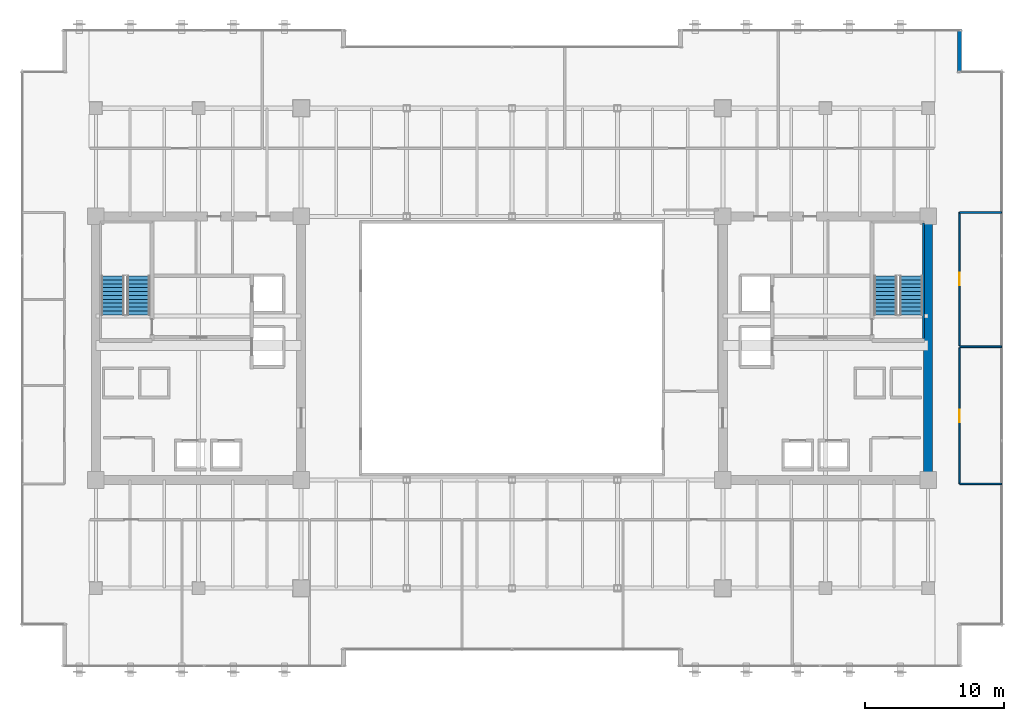
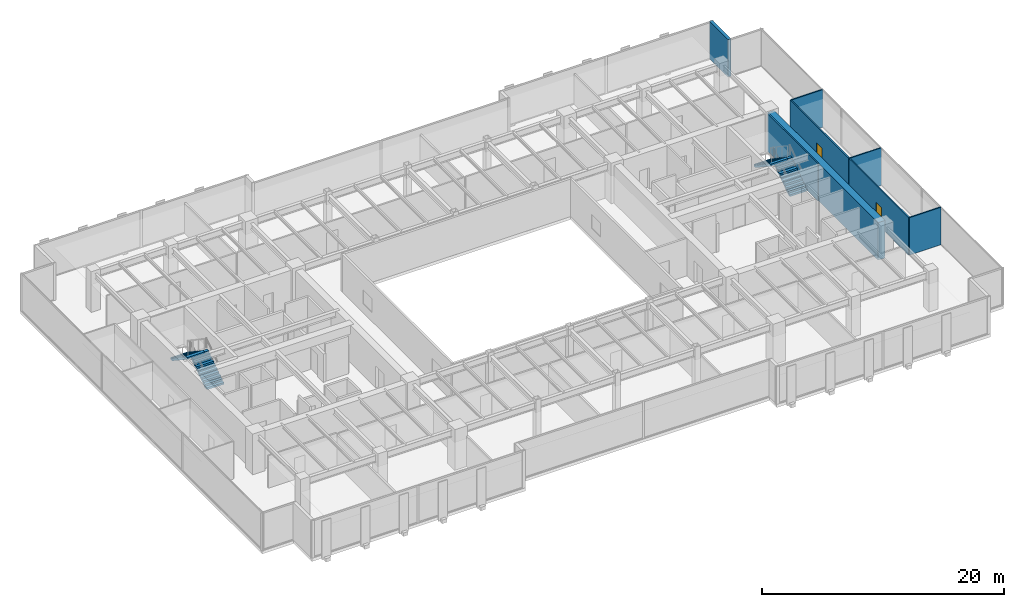
# One storey, part 28 of 34: 8 walls, 4 stair flights, 2 doors, 2 openings, 2 elements without a shape of their own.
"""IFC4 building model written with IfcOpenShell, lengths in metres."""

from ifc_helpers import new_model, si_unit, direction, frame, frame_2d, origin, place, context, subcontext, project, spatial, polyline, rectangle, outline, extrude, source, transform, mapped, material, layer, layer_set, type_object, type_shapes, element, fill, aggregate, save


model = new_model("IFC4")

# Units and contexts
model_context = context("Model", 3, precision=1e-05, world=origin(), true_north=direction((0.0, 1.0)))
body_context = subcontext(model_context, "Body", "Model", "MODEL_VIEW")
ifc_project = project(units=[si_unit("LENGTHUNIT", "METRE"), si_unit("AREAUNIT", "SQUARE_METRE"), si_unit("VOLUMEUNIT", "CUBIC_METRE"), si_unit("PLANEANGLEUNIT", "RADIAN"), si_unit("MASSUNIT", "GRAM", prefix="KILO")], contexts=[model_context])

# Site, building, storey
site_placement = place(None, origin())
site = spatial("IfcSite", under=ifc_project, at=site_placement, CompositionType="ELEMENT")
building_placement = place(site_placement, origin())
building = spatial("IfcBuilding", under=site, at=building_placement, Name="Haelvirn Gate Laboratories", CompositionType="ELEMENT")
storey_placement = place(building_placement, frame((0.0, 0.0, 158.39990234375)))
storey = spatial("IfcBuildingStorey", under=building, at=storey_placement, Name="L38", CompositionType="ELEMENT", Elevation=158.39990234375)

# Walls
ifc_material_1 = material(Name="Thermally-broken bronze aluminium rainscreen & mineral wool", Category="aluminium")
ifc_layer_1 = layer(ifc_material_1, 0.280029296875, Name="EW-TERR-280")
ifc_layer_set_1 = layer_set([ifc_layer_1], Name="Thermally-broken bronze aluminium rainscreen & mineral wool")
wall_type_1 = type_object("IfcWallType", Name="EW-TERR-280", PredefinedType="STANDARD", material=ifc_layer_set_1)
wall_1_placement = place(storey_placement, frame((69.659912109375, 44.2119140625, 0.0), z_axis=(0.0, 0.0, 1.0), x_axis=(0.0, 1.0, 0.0)))
element("IfcWall", 1, at=wall_1_placement, inside=storey, type_object=wall_type_1, Name="L38 Atrium Recess Bronze Return Wall 09", PredefinedType="STANDARD", context=body_context, shape_type="SweptSolid", body=[
    extrude(rectangle(XDim=3.088134765625, YDim=0.280029296875, at=frame_2d((1.5439453125, 0.0))), origin(), (0.0, 0.0, 1.0), 3.7900390625),
])
ifc_material_2 = material(Name="Lightweight acoustic gypsum board partition", Category="gypsum")
ifc_layer_2 = layer(ifc_material_2, 0.1201171875, Name="IW-PART-120")
ifc_layer_set_2 = layer_set([ifc_layer_2], Name="Lightweight acoustic gypsum board partition")
wall_type_2 = type_object("IfcWallType", Name="IW-PART-120", PredefinedType="PARTITIONING", material=ifc_layer_set_2)
for number, where, z_axis, x_axis, name in (
    (2, (69.669921875, 14.514892578125, 0.0), (0.0, 0.0, 1.0), (1.0, 0.0, 0.0), "L38 Interior Wall IW-L38-ECAP-S"),
    (3, (69.669921875, 34.0849609375, 0.0), (0.0, 0.0, 1.0), (1.0, 0.0, 0.0), "L38 Interior Wall IW-L38-ECAP-N"),
):
    element("IfcWall", number, at=place(storey_placement, frame(where, z_axis=z_axis, x_axis=x_axis)), inside=storey, type_object=wall_type_2, Name=name, PredefinedType="PARTITIONING", context=body_context, shape_type="SweptSolid", body=[
        extrude(rectangle(XDim=3.02001953125, YDim=0.1201171875, at=frame_2d((1.510009765625, 0.0))), origin(), (0.0, 0.0, 1.0), 3.7900390625),
    ])

# Wall, opening, door
wall_2_placement = place(storey_placement, frame((69.669921875, 14.514892578125, 0.0), z_axis=(0.0, 0.0, 1.0), x_axis=(0.0, 1.0, 0.0)))
wall_2 = element("IfcWall", 4, at=wall_2_placement, inside=storey, type_object=wall_type_2, Name="L38 Interior Wall IW-L38-EPASS-01", PredefinedType="PARTITIONING", context=body_context, shape_type="SweptSolid", body=[
    extrude(rectangle(XDim=9.8251953125, YDim=0.1201171875, at=frame_2d((4.91259765625, 0.0))), origin(), (0.0, 0.0, 1.0), 3.7900390625),
])
opening_1_placement = place(wall_2_placement, frame((4.46240234375, 0.0, 0.0)))
opening_1 = element("IfcOpeningElement", 5, at=opening_1_placement, cuts=wall_2, Name="Opening D4", PredefinedType="OPENING", context=body_context, shape_type="SweptSolid", body=[
    extrude(rectangle(XDim=0.89990234375, YDim=2.10009765625, at=frame_2d((0.449951171875, 1.050048828125))), frame((0.0, 0.070068359375, 0.0), z_axis=(0.0, -1.0, 0.0), x_axis=(1.0, 0.0, 0.0)), (0.0, 0.0, 1.0), 0.14013671875),
])
ifc_material_3 = material(Name="Glazed aluminium-framed write-up door", Category="aluminium")
door_type = type_object("IfcDoorType", Name="DR-OFF-900", OperationType="NOTDEFINED", PredefinedType="DOOR", material=ifc_material_3)
shared_shape_1 = source(origin(), body_context, "Body", "SweptSolid", [
    extrude(rectangle(XDim=0.89990234375, YDim=2.10009765625, at=frame_2d((0.449951171875, 1.050048828125))), frame((0.0, 0.02490234375, 0.0), z_axis=(0.0, -1.0, 0.0), x_axis=(1.0, 0.0, 0.0)), (0.0, 0.0, 1.0), 0.050048828125),
])
type_shapes(door_type, [shared_shape_1])
door_1_placement = place(opening_1_placement, origin())
door_1 = element("IfcDoor", 6, at=door_1_placement, inside=storey, type_object=door_type, Name="L38 Occupational Biosafety Clinic Door E1", OperationType="SINGLE_SWING_LEFT", OverallHeight=2.10009765625, OverallWidth=0.89990234375, PredefinedType="DOOR", context=body_context, shape_type="MappedRepresentation", body=[
    mapped(shared_shape_1, transform((0.0, 0.0, 0.0), scale=1.0)),
])
fill(opening_1, door_1)

# Wall
wall_3_placement = place(storey_placement, frame((69.669921875, 24.39990234375, 0.0), z_axis=(0.0, 0.0, 1.0), x_axis=(1.0, 0.0, 0.0)))
element("IfcWall", 7, at=wall_3_placement, inside=storey, type_object=wall_type_2, Name="L38 Interior Wall IW-L38-EDIV-01", PredefinedType="PARTITIONING", context=body_context, shape_type="SweptSolid", body=[
    extrude(rectangle(XDim=3.02001953125, YDim=0.1201171875, at=frame_2d((1.510009765625, 0.0))), origin(), (0.0, 0.0, 1.0), 3.7900390625),
])

# Wall, opening, door
wall_4_placement = place(storey_placement, frame((69.669921875, 24.4599609375, 0.0), z_axis=(0.0, 0.0, 1.0), x_axis=(0.0, 1.0, 0.0)))
wall_4 = element("IfcWall", 8, at=wall_4_placement, inside=storey, type_object=wall_type_2, Name="L38 Interior Wall IW-L38-EPASS-02", PredefinedType="PARTITIONING", context=body_context, shape_type="SweptSolid", body=[
    extrude(rectangle(XDim=9.625, YDim=0.1201171875, at=frame_2d((4.8125, 0.0))), origin(), (0.0, 0.0, 1.0), 3.7900390625),
])
opening_2_placement = place(wall_4_placement, frame((4.362548828125, 0.0, 0.0)))
opening_2 = element("IfcOpeningElement", 9, at=opening_2_placement, cuts=wall_4, Name="Opening D4", PredefinedType="OPENING", context=body_context, shape_type="SweptSolid", body=[
    extrude(rectangle(XDim=0.89990234375, YDim=2.10009765625, at=frame_2d((0.449951171875, 1.050048828125))), frame((0.0, 0.070068359375, 0.0), z_axis=(0.0, -1.0, 0.0), x_axis=(1.0, 0.0, 0.0)), (0.0, 0.0, 1.0), 0.14013671875),
])
door_2_placement = place(opening_2_placement, origin())
door_2 = element("IfcDoor", 10, at=door_2_placement, inside=storey, type_object=door_type, Name="L38 Bioprocess Foundry Laboratory Door E2", OperationType="SINGLE_SWING_RIGHT", OverallHeight=2.10009765625, OverallWidth=0.89990234375, PredefinedType="DOOR", context=body_context, shape_type="MappedRepresentation", body=[
    mapped(shared_shape_1, transform((0.0, 0.0, 0.0), scale=1.0)),
])
fill(opening_2, door_2)

# Walls
ifc_material_4 = material(Name="Concrete C60/75", Category="concrete")
ifc_layer_3 = layer(ifc_material_4, 0.64990234375, Name="SW-CORE-650")
ifc_layer_set_3 = layer_set([ifc_layer_3], Name="Concrete C60/75")
wall_type_3 = type_object("IfcWallType", Name="SW-CORE-650", PredefinedType="SHEAR", material=ifc_layer_set_3)
wall_5_placement = place(storey_placement, frame((67.39990234375, 15.125, 0.0), z_axis=(0.0, 0.0, 1.0), x_axis=(0.0, 1.0, 0.0)))
element("IfcWall", 11, at=wall_5_placement, inside=storey, type_object=wall_type_3, Name="L38 E Core Shear Wall E", PredefinedType="SHEAR", context=body_context, shape_type="SweptSolid", body=[
    extrude(rectangle(XDim=18.35009765625, YDim=0.64990234375, at=frame_2d((9.175048828125, 0.0))), origin(), (0.0, 0.0, 1.0), 3.7900390625),
])
ifc_material_5 = material(Name="Concrete C50/60", Category="concrete")
ifc_layer_4 = layer(ifc_material_5, 0.1201171875, Name="SW-LINER-120")
ifc_layer_set_4 = layer_set([ifc_layer_4], Name="Concrete C50/60")
wall_type_4 = type_object("IfcWallType", Name="SW-LINER-120", PredefinedType="SOLIDWALL", material=ifc_layer_set_4)
wall_6_placement = place(storey_placement, frame((67.070068359375, 25.0, 0.0), z_axis=(0.0, 0.0, 1.0), x_axis=(0.0, 1.0, 0.0)))
element("IfcWall", 12, at=wall_6_placement, inside=storey, type_object=wall_type_4, Name="L38 E Core Stair Shaft Liner Wall OUT", PredefinedType="SOLIDWALL", context=body_context, shape_type="SweptSolid", body=[
    extrude(rectangle(XDim=8.320068359375, YDim=0.1201171875, at=frame_2d((4.16015625, 0.0))), origin(), (0.0, 0.0, 1.0), 3.7900390625),
])

# Stair, stair flights
ifc_material_6 = material(Name="Concrete C40/50", Category="concrete")
stair_type = type_object("IfcStairType", Name="ST-DOG-1650-R22", PredefinedType="HALF_TURN_STAIR", material=ifc_material_6)
stair_1_placement = place(storey_placement, origin())
stair_1 = element("IfcStair", 13, at=stair_1_placement, inside=storey, type_object=stair_type, Name="L38 Escape Stair ST1", PredefinedType="HALF_TURN_STAIR")
stair_flight_type = type_object("IfcStairFlightType", Name="STF-1650-R11", PredefinedType="STRAIGHT", material=ifc_material_6)
shared_shape_2 = source(origin(), body_context, "Body", "SweptSolid", [
    extrude(outline(polyline([(0.0, 0.0), (0.0, 0.186279296875), (0.280029296875, 0.186279296875), (0.280029296875, 0.372802734375), (0.56005859375, 0.372802734375), (0.56005859375, 0.55908203125), (0.840087890625, 0.55908203125), (0.840087890625, 0.745361328125), (1.1201171875, 0.745361328125), (1.1201171875, 0.931884765625), (1.39990234375, 0.931884765625), (1.39990234375, 1.1181640625), (1.679931640625, 1.1181640625), (1.679931640625, 1.304443359375), (1.9599609375, 1.304443359375), (1.9599609375, 1.490966796875), (2.239990234375, 1.490966796875), (2.239990234375, 1.67724609375), (2.52001953125, 1.67724609375), (2.52001953125, 1.863525390625), (2.800048828125, 1.863525390625), (2.800048828125, 2.050048828125), (2.800048828125, 1.671630859375), (0.28857421875, 0.0), (0.0, 0.0)])), frame((0.0, 0.824951171875, 0.0), z_axis=(0.0, -1.0, 0.0), x_axis=(1.0, 0.0, 0.0)), (0.0, 0.0, 1.0), 1.64990234375),
])
type_shapes(stair_flight_type, [shared_shape_2])
stair_flight_1_placement = place(storey_placement, frame((10.47509765625, 26.699951171875, 0.0), z_axis=(0.0, 0.0, 1.0), x_axis=(0.0, 1.0, 0.0)))
stair_flight_1 = element("IfcStairFlight", 14, at=stair_flight_1_placement, type_object=stair_flight_type, Name="ST1 flight 1", NumberOfRisers=11, NumberOfTreads=10, PredefinedType="STRAIGHT", RiserHeight=0.186363636, TreadLength=0.28, context=body_context, shape_type="MappedRepresentation", body=[
    mapped(shared_shape_2, transform((0.0, 0.0, 0.0), scale=1.0)),
])
stair_flight_2_placement = place(storey_placement, frame((8.625, 29.5, 2.050048828125), z_axis=(0.0, 0.0, 1.0), x_axis=(0.0, -1.0, 0.0)))
stair_flight_2 = element("IfcStairFlight", 15, at=stair_flight_2_placement, type_object=stair_flight_type, Name="ST1 flight 2", NumberOfRisers=11, NumberOfTreads=10, PredefinedType="STRAIGHT", RiserHeight=0.186363636, TreadLength=0.28, context=body_context, shape_type="MappedRepresentation", body=[
    mapped(shared_shape_2, transform((0.0, 0.0, 0.0), scale=1.0)),
])
aggregate(stair_1, [stair_flight_1, stair_flight_2])

stair_2_placement = place(storey_placement, origin())
stair_2 = element("IfcStair", 16, at=stair_2_placement, inside=storey, type_object=stair_type, Name="L38 Escape Stair ST2", PredefinedType="HALF_TURN_STAIR")
stair_flight_3_placement = place(storey_placement, frame((66.175048828125, 26.699951171875, 0.0), z_axis=(0.0, 0.0, 1.0), x_axis=(0.0, 1.0, 0.0)))
stair_flight_3 = element("IfcStairFlight", 17, at=stair_flight_3_placement, type_object=stair_flight_type, Name="ST2 flight 1", NumberOfRisers=11, NumberOfTreads=10, PredefinedType="STRAIGHT", RiserHeight=0.186363636, TreadLength=0.28, context=body_context, shape_type="MappedRepresentation", body=[
    mapped(shared_shape_2, transform((0.0, 0.0, 0.0), scale=1.0)),
])
stair_flight_4_placement = place(storey_placement, frame((64.324951171875, 29.5, 2.050048828125), z_axis=(0.0, 0.0, 1.0), x_axis=(0.0, -1.0, 0.0)))
stair_flight_4 = element("IfcStairFlight", 18, at=stair_flight_4_placement, type_object=stair_flight_type, Name="ST2 flight 2", NumberOfRisers=11, NumberOfTreads=10, PredefinedType="STRAIGHT", RiserHeight=0.186363636, TreadLength=0.28, context=body_context, shape_type="MappedRepresentation", body=[
    mapped(shared_shape_2, transform((0.0, 0.0, 0.0), scale=1.0)),
])
aggregate(stair_2, [stair_flight_3, stair_flight_4])

save(model, "model.ifc")
